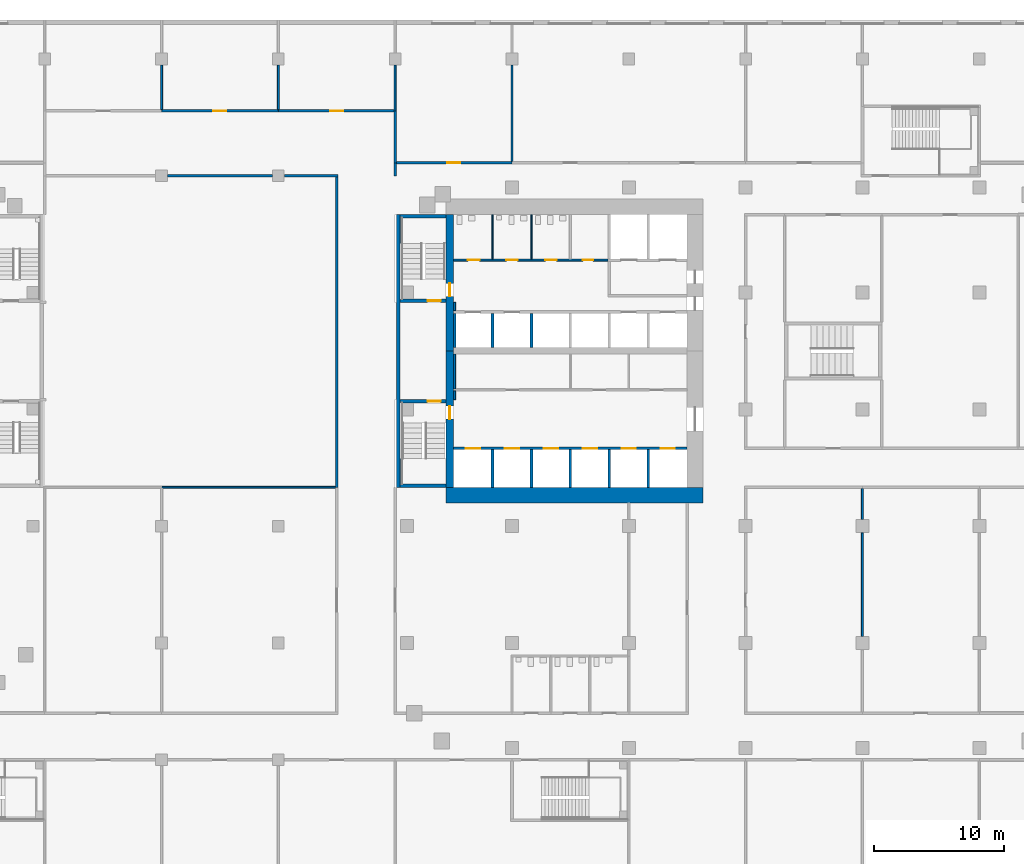
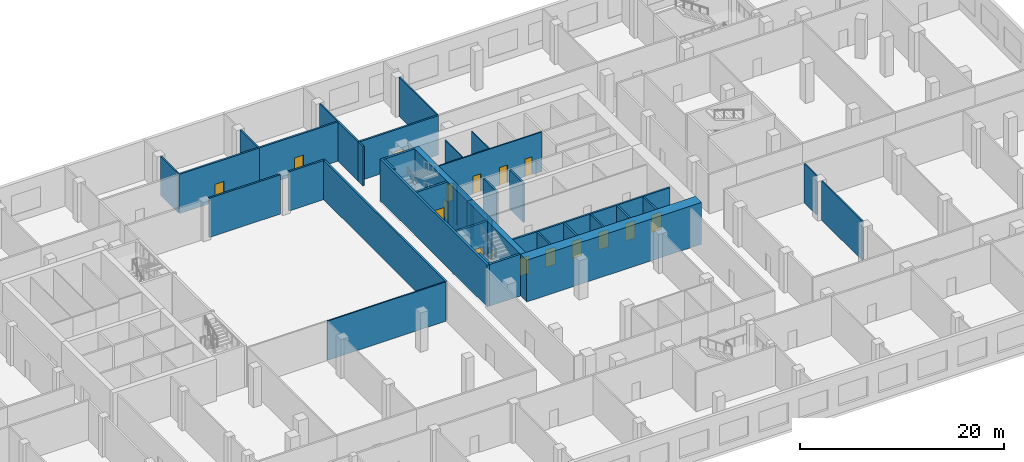
# One storey, part 10 of 21: 40 walls, 17 doors, 17 openings.
"""IFC4 building model written with IfcOpenShell, lengths in metres."""

from ifc_helpers import new_model, si_unit, direction, frame, frame_2d, origin, place, context, subcontext, project, spatial, rectangle, extrude, material, layer, layer_set, type_object, element, fill, save


model = new_model("IFC4")

# Units and contexts
model_context = context("Model", 3, precision=1e-05, world=origin(), true_north=direction((0.0, 1.0)))
body_context = subcontext(model_context, "Body", "Model", "MODEL_VIEW")
ifc_project = project(units=[si_unit("LENGTHUNIT", "METRE"), si_unit("AREAUNIT", "SQUARE_METRE"), si_unit("VOLUMEUNIT", "CUBIC_METRE"), si_unit("PLANEANGLEUNIT", "RADIAN"), si_unit("MASSUNIT", "GRAM", prefix="KILO")], contexts=[model_context])

# Site, building, storey
site_placement = place(None, origin())
site = spatial("IfcSite", under=ifc_project, at=site_placement, CompositionType="ELEMENT")
building_placement = place(site_placement, origin())
building = spatial("IfcBuilding", under=site, at=building_placement, Name="Cinnabar Reach Civic Tower", CompositionType="ELEMENT")
storey_placement = place(building_placement, frame((0.0, 0.0, 11.0)))
storey = spatial("IfcBuildingStorey", under=building, at=storey_placement, Name="L02", CompositionType="ELEMENT", Elevation=11.0)

# Wall
ifc_material_1 = material(Name="Concrete C70", Category="concrete")
ifc_layer_1 = layer(ifc_material_1, 1.2)
ifc_layer_set_1 = layer_set([ifc_layer_1], Name="Core wall 1200 EI 180")
wall_type_1 = type_object("IfcWallType", Name="Core wall 1200 EI 180", PredefinedType="SOLIDWALL", material=ifc_layer_set_1)
wall_1_placement = place(storey_placement, frame((3.9, 20.4, 0.0), z_axis=(0.0, 0.0, 1.0), x_axis=(1.0, 0.0, 0.0)))
element("IfcWall", 1, at=wall_1_placement, inside=storey, type_object=wall_type_1, Name="Core wall T1 L02 S", PredefinedType="SOLIDWALL", context=body_context, shape_type="SweptSolid", body=[
    extrude(rectangle(XDim=19.8, YDim=1.2, at=frame_2d((9.9, 0.0))), origin(), (0.0, 0.0, 1.0), 5.0),
])

# Wall, opening, door
ifc_layer_2 = layer(ifc_material_1, 0.6)
ifc_layer_set_2 = layer_set([ifc_layer_2], Name="Core wall 600 EI 180")
wall_type_2 = type_object("IfcWallType", Name="Core wall 600 EI 180", PredefinedType="SOLIDWALL", material=ifc_layer_set_2)
wall_2_placement = place(storey_placement, frame((4.2, 42.0, 0.0), z_axis=(0.0, 0.0, 1.0), x_axis=(0.0, -1.0, 0.0)))
wall_2 = element("IfcWall", 2, at=wall_2_placement, inside=storey, type_object=wall_type_2, Name="Core wall T1 L02 W", PredefinedType="SOLIDWALL", context=body_context, shape_type="SweptSolid", body=[
    extrude(rectangle(XDim=10.5, YDim=0.6, at=frame_2d((5.25, 0.0))), origin(), (0.0, 0.0, 1.0), 5.0),
])
opening_1_placement = place(wall_2_placement, frame((5.3, 0.0, 0.0)))
opening_1 = element("IfcOpeningElement", 3, at=opening_1_placement, cuts=wall_2, Name="Opening D3114", PredefinedType="OPENING", context=body_context, shape_type="SweptSolid", body=[
    extrude(rectangle(XDim=1.0, YDim=2.1, at=frame_2d((0.5, 1.05))), frame((0.0, 0.31, 0.0), z_axis=(0.0, -1.0, 0.0), x_axis=(1.0, 0.0, 0.0)), (0.0, 0.0, 1.0), 0.62),
])
ifc_material_2 = material(Name="Timber door leaf in steel frame", Category="steel")
door_type_1 = type_object("IfcDoorType", Name="Stair door 1000 x 2100 T1", OperationType="SINGLE_SWING_LEFT", PredefinedType="DOOR", material=ifc_material_2)
door_1_placement = place(opening_1_placement, frame((1.0, 0.0, 0.0), z_axis=(0.0, 0.0, 1.0), x_axis=(-1.0, 0.0, 0.0)))
door_1 = element("IfcDoor", 4, at=door_1_placement, inside=storey, type_object=door_type_1, Name="Door D3114", OperationType="SINGLE_SWING_LEFT", OverallHeight=2.1, OverallWidth=1.0, PredefinedType="DOOR", context=body_context, shape_type="SweptSolid", body=[
    extrude(rectangle(XDim=1.0, YDim=2.1, at=frame_2d((0.5, 1.05))), frame((0.0, 0.025, 0.0), z_axis=(0.0, -1.0, 0.0), x_axis=(1.0, 0.0, 0.0)), (0.0, 0.0, 1.0), 0.05),
])
fill(opening_1, door_1)

wall_3_placement = place(storey_placement, frame((4.2, 31.5, 0.0), z_axis=(0.0, 0.0, 1.0), x_axis=(0.0, -1.0, 0.0)))
wall_3 = element("IfcWall", 5, at=wall_3_placement, inside=storey, type_object=wall_type_2, Name="Core wall T1 L02 W2", PredefinedType="SOLIDWALL", context=body_context, shape_type="SweptSolid", body=[
    extrude(rectangle(XDim=10.5, YDim=0.6, at=frame_2d((5.25, 0.0))), origin(), (0.0, 0.0, 1.0), 5.0),
])
opening_2_placement = place(wall_3_placement, frame((4.25, 0.0, 0.0)))
opening_2 = element("IfcOpeningElement", 6, at=opening_2_placement, cuts=wall_3, Name="Opening D3112", PredefinedType="OPENING", context=body_context, shape_type="SweptSolid", body=[
    extrude(rectangle(XDim=1.0, YDim=2.1, at=frame_2d((0.5, 1.05))), frame((0.0, 0.31, 0.0), z_axis=(0.0, -1.0, 0.0), x_axis=(1.0, 0.0, 0.0)), (0.0, 0.0, 1.0), 0.62),
])
door_2_placement = place(opening_2_placement, frame((1.0, 0.0, 0.0), z_axis=(0.0, 0.0, 1.0), x_axis=(-1.0, 0.0, 0.0)))
door_2 = element("IfcDoor", 7, at=door_2_placement, inside=storey, type_object=door_type_1, Name="Door D3112", OperationType="SINGLE_SWING_RIGHT", OverallHeight=2.1, OverallWidth=1.0, PredefinedType="DOOR", context=body_context, shape_type="SweptSolid", body=[
    extrude(rectangle(XDim=1.0, YDim=2.1, at=frame_2d((0.5, 1.05))), frame((0.0, 0.025, 0.0), z_axis=(0.0, -1.0, 0.0), x_axis=(1.0, 0.0, 0.0)), (0.0, 0.0, 1.0), 0.05),
])
fill(opening_2, door_2)

# Wall, openings, doors
ifc_material_3 = material(Name="Gypsum board on steel studs, double layer", Category="steel")
ifc_layer_3 = layer(ifc_material_3, 0.15)
ifc_layer_set_3 = layer_set([ifc_layer_3], Name="Corridor wall 150 T1")
wall_type_3 = type_object("IfcWallType", Name="Corridor wall 150 T1", PredefinedType="PARTITIONING", material=ifc_layer_set_3)
wall_4_placement = place(storey_placement, frame((4.5, 38.5, 0.0), z_axis=(0.0, 0.0, 1.0), x_axis=(1.0, 0.0, 0.0)))
wall_4 = element("IfcWall", 8, at=wall_4_placement, inside=storey, type_object=wall_type_3, Name="Corridor wall 20", PredefinedType="PARTITIONING", context=body_context, shape_type="SweptSolid", body=[
    extrude(rectangle(XDim=11.9, YDim=0.15, at=frame_2d((5.95, 0.0))), origin(), (0.0, 0.0, 1.0), 4.7),
])
opening_3_placement = place(wall_4_placement, frame((1.1, 0.0, 0.0)))
opening_3 = element("IfcOpeningElement", 9, at=opening_3_placement, cuts=wall_4, Name="Opening D3134", PredefinedType="OPENING", context=body_context, shape_type="SweptSolid", body=[
    extrude(rectangle(XDim=0.9, YDim=2.1, at=frame_2d((0.45, 1.05))), frame((0.0, 0.085, 0.0), z_axis=(0.0, -1.0, 0.0), x_axis=(1.0, 0.0, 0.0)), (0.0, 0.0, 1.0), 0.17),
])
opening_4_placement = place(wall_4_placement, frame((4.05, 0.0, 0.0)))
opening_4 = element("IfcOpeningElement", 10, at=opening_4_placement, cuts=wall_4, Name="Opening D3135", PredefinedType="OPENING", context=body_context, shape_type="SweptSolid", body=[
    extrude(rectangle(XDim=0.9, YDim=2.1, at=frame_2d((0.45, 1.05))), frame((0.0, 0.085, 0.0), z_axis=(0.0, -1.0, 0.0), x_axis=(1.0, 0.0, 0.0)), (0.0, 0.0, 1.0), 0.17),
])
opening_5_placement = place(wall_4_placement, frame((7.05, 0.0, 0.0)))
opening_5 = element("IfcOpeningElement", 11, at=opening_5_placement, cuts=wall_4, Name="Opening D3136", PredefinedType="OPENING", context=body_context, shape_type="SweptSolid", body=[
    extrude(rectangle(XDim=0.9, YDim=2.1, at=frame_2d((0.45, 1.05))), frame((0.0, 0.085, 0.0), z_axis=(0.0, -1.0, 0.0), x_axis=(1.0, 0.0, 0.0)), (0.0, 0.0, 1.0), 0.17),
])
opening_6_placement = place(wall_4_placement, frame((9.95, 0.0, 0.0)))
opening_6 = element("IfcOpeningElement", 12, at=opening_6_placement, cuts=wall_4, Name="Opening D3137", PredefinedType="OPENING", context=body_context, shape_type="SweptSolid", body=[
    extrude(rectangle(XDim=0.8, YDim=2.1, at=frame_2d((0.4, 1.05))), frame((0.0, 0.085, 0.0), z_axis=(0.0, -1.0, 0.0), x_axis=(1.0, 0.0, 0.0)), (0.0, 0.0, 1.0), 0.17),
])
door_type_2 = type_object("IfcDoorType", Name="Riser access door 800 x 2100 T1", OperationType="SINGLE_SWING_LEFT", PredefinedType="DOOR", material=ifc_material_2)
door_3_placement = place(opening_6_placement, origin())
door_3 = element("IfcDoor", 13, at=door_3_placement, inside=storey, type_object=door_type_2, Name="Door D3137", OperationType="SINGLE_SWING_LEFT", OverallHeight=2.1, OverallWidth=0.8, PredefinedType="DOOR", context=body_context, shape_type="SweptSolid", body=[
    extrude(rectangle(XDim=0.8, YDim=2.1, at=frame_2d((0.4, 1.05))), frame((0.0, 0.025, 0.0), z_axis=(0.0, -1.0, 0.0), x_axis=(1.0, 0.0, 0.0)), (0.0, 0.0, 1.0), 0.05),
])
fill(opening_6, door_3)
door_type_3 = type_object("IfcDoorType", Name="Single swing door 900 x 2100 corridor T1", OperationType="SINGLE_SWING_LEFT", PredefinedType="DOOR", material=ifc_material_2)
door_4_placement = place(opening_3_placement, origin())
door_4 = element("IfcDoor", 14, at=door_4_placement, inside=storey, type_object=door_type_3, Name="Door D3134", OperationType="SINGLE_SWING_RIGHT", OverallHeight=2.1, OverallWidth=0.9, PredefinedType="DOOR", context=body_context, shape_type="SweptSolid", body=[
    extrude(rectangle(XDim=0.9, YDim=2.1, at=frame_2d((0.45, 1.05))), frame((0.0, 0.025, 0.0), z_axis=(0.0, -1.0, 0.0), x_axis=(1.0, 0.0, 0.0)), (0.0, 0.0, 1.0), 0.05),
])
fill(opening_3, door_4)
door_5_placement = place(opening_4_placement, origin())
door_5 = element("IfcDoor", 15, at=door_5_placement, inside=storey, type_object=door_type_3, Name="Door D3135", OperationType="SINGLE_SWING_RIGHT", OverallHeight=2.1, OverallWidth=0.9, PredefinedType="DOOR", context=body_context, shape_type="SweptSolid", body=[
    extrude(rectangle(XDim=0.9, YDim=2.1, at=frame_2d((0.45, 1.05))), frame((0.0, 0.025, 0.0), z_axis=(0.0, -1.0, 0.0), x_axis=(1.0, 0.0, 0.0)), (0.0, 0.0, 1.0), 0.05),
])
fill(opening_4, door_5)
door_6_placement = place(opening_5_placement, origin())
door_6 = element("IfcDoor", 16, at=door_6_placement, inside=storey, type_object=door_type_3, Name="Door D3136", OperationType="SINGLE_SWING_RIGHT", OverallHeight=2.1, OverallWidth=0.9, PredefinedType="DOOR", context=body_context, shape_type="SweptSolid", body=[
    extrude(rectangle(XDim=0.9, YDim=2.1, at=frame_2d((0.45, 1.05))), frame((0.0, 0.025, 0.0), z_axis=(0.0, -1.0, 0.0), x_axis=(1.0, 0.0, 0.0)), (0.0, 0.0, 1.0), 0.05),
])
fill(opening_5, door_6)

# Walls
wall_5_placement = place(storey_placement, frame((4.575, 27.75, 0.0), z_axis=(0.0, 0.0, 1.0), x_axis=(0.0, 1.0, 0.0)))
element("IfcWall", 17, at=wall_5_placement, inside=storey, type_object=wall_type_3, Name="Corridor wall 21", PredefinedType="PARTITIONING", context=body_context, shape_type="SweptSolid", body=[
    extrude(rectangle(XDim=0.675, YDim=0.15, at=frame_2d((0.3375, 0.0))), origin(), (0.0, 0.0, 1.0), 4.7),
])
wall_6_placement = place(storey_placement, frame((4.575, 28.575, 0.0), z_axis=(0.0, 0.0, 1.0), x_axis=(0.0, 1.0, 0.0)))
element("IfcWall", 18, at=wall_6_placement, inside=storey, type_object=wall_type_3, Name="Corridor wall 22", PredefinedType="PARTITIONING", context=body_context, shape_type="SweptSolid", body=[
    extrude(rectangle(XDim=2.675, YDim=0.15, at=frame_2d((1.3375, 0.0))), origin(), (0.0, 0.0, 1.0), 4.7),
])
wall_7_placement = place(storey_placement, frame((4.575, 34.6, 0.0), z_axis=(0.0, 0.0, 1.0), x_axis=(0.0, 1.0, 0.0)))
element("IfcWall", 19, at=wall_7_placement, inside=storey, type_object=wall_type_3, Name="Corridor wall 23", PredefinedType="PARTITIONING", context=body_context, shape_type="SweptSolid", body=[
    extrude(rectangle(XDim=0.65, YDim=0.15, at=frame_2d((0.325, 0.0))), origin(), (0.0, 0.0, 1.0), 4.7),
])

# Wall, openings, doors
ifc_material_4 = material(Name="Blockwork", Category="masonry")
ifc_layer_4 = layer(ifc_material_4, 0.2)
ifc_layer_set_4 = layer_set([ifc_layer_4], Name="Lift shaft wall 200 T1")
wall_type_4 = type_object("IfcWallType", Name="Lift shaft wall 200 T1", PredefinedType="PARTITIONING", material=ifc_layer_set_4)
wall_8_placement = place(storey_placement, frame((4.5, 24.0, 0.0), z_axis=(0.0, 0.0, 1.0), x_axis=(1.0, 0.0, 0.0)))
wall_8 = element("IfcWall", 20, at=wall_8_placement, inside=storey, type_object=wall_type_4, Name="Lift shaft wall 4", PredefinedType="PARTITIONING", context=body_context, shape_type="SweptSolid", body=[
    extrude(rectangle(XDim=18.0, YDim=0.2, at=frame_2d((9.0, 0.0))), origin(), (0.0, 0.0, 1.0), 4.7),
])
opening_7_placement = place(wall_8_placement, frame((0.95, 0.0, 0.0)))
opening_7 = element("IfcOpeningElement", 21, at=opening_7_placement, cuts=wall_8, Name="Opening D3116", PredefinedType="OPENING", context=body_context, shape_type="SweptSolid", body=[
    extrude(rectangle(XDim=1.1, YDim=2.1, at=frame_2d((0.55, 1.05))), frame((0.0, 0.11, 0.0), z_axis=(0.0, -1.0, 0.0), x_axis=(1.0, 0.0, 0.0)), (0.0, 0.0, 1.0), 0.22),
])
opening_8_placement = place(wall_8_placement, frame((3.95, 0.0, 0.0)))
opening_8 = element("IfcOpeningElement", 22, at=opening_8_placement, cuts=wall_8, Name="Opening D3117", PredefinedType="OPENING", context=body_context, shape_type="SweptSolid", body=[
    extrude(rectangle(XDim=1.1, YDim=2.1, at=frame_2d((0.55, 1.05))), frame((0.0, 0.11, 0.0), z_axis=(0.0, -1.0, 0.0), x_axis=(1.0, 0.0, 0.0)), (0.0, 0.0, 1.0), 0.22),
])
opening_9_placement = place(wall_8_placement, frame((6.95, 0.0, 0.0)))
opening_9 = element("IfcOpeningElement", 23, at=opening_9_placement, cuts=wall_8, Name="Opening D3118", PredefinedType="OPENING", context=body_context, shape_type="SweptSolid", body=[
    extrude(rectangle(XDim=1.1, YDim=2.1, at=frame_2d((0.55, 1.05))), frame((0.0, 0.11, 0.0), z_axis=(0.0, -1.0, 0.0), x_axis=(1.0, 0.0, 0.0)), (0.0, 0.0, 1.0), 0.22),
])
opening_10_placement = place(wall_8_placement, frame((9.95, 0.0, 0.0)))
opening_10 = element("IfcOpeningElement", 24, at=opening_10_placement, cuts=wall_8, Name="Opening D3119", PredefinedType="OPENING", context=body_context, shape_type="SweptSolid", body=[
    extrude(rectangle(XDim=1.1, YDim=2.1, at=frame_2d((0.55, 1.05))), frame((0.0, 0.11, 0.0), z_axis=(0.0, -1.0, 0.0), x_axis=(1.0, 0.0, 0.0)), (0.0, 0.0, 1.0), 0.22),
])
opening_11_placement = place(wall_8_placement, frame((12.95, 0.0, 0.0)))
opening_11 = element("IfcOpeningElement", 25, at=opening_11_placement, cuts=wall_8, Name="Opening D3120", PredefinedType="OPENING", context=body_context, shape_type="SweptSolid", body=[
    extrude(rectangle(XDim=1.1, YDim=2.1, at=frame_2d((0.55, 1.05))), frame((0.0, 0.11, 0.0), z_axis=(0.0, -1.0, 0.0), x_axis=(1.0, 0.0, 0.0)), (0.0, 0.0, 1.0), 0.22),
])
opening_12_placement = place(wall_8_placement, frame((15.95, 0.0, 0.0)))
opening_12 = element("IfcOpeningElement", 26, at=opening_12_placement, cuts=wall_8, Name="Opening D3121", PredefinedType="OPENING", context=body_context, shape_type="SweptSolid", body=[
    extrude(rectangle(XDim=1.1, YDim=2.1, at=frame_2d((0.55, 1.05))), frame((0.0, 0.11, 0.0), z_axis=(0.0, -1.0, 0.0), x_axis=(1.0, 0.0, 0.0)), (0.0, 0.0, 1.0), 0.22),
])
ifc_material_5 = material(Name="Stainless steel sliding door", Category="steel")
door_type_4 = type_object("IfcDoorType", Name="Lift landing door 1100 x 2100 T1", OperationType="SLIDING_TO_LEFT", PredefinedType="DOOR", material=ifc_material_5)
door_7_placement = place(opening_7_placement, origin())
door_7 = element("IfcDoor", 27, at=door_7_placement, inside=storey, type_object=door_type_4, Name="Lift landing door LR1 L02", OperationType="SLIDING_TO_LEFT", OverallHeight=2.1, OverallWidth=1.1, PredefinedType="DOOR", context=body_context, shape_type="SweptSolid", body=[
    extrude(rectangle(XDim=1.1, YDim=2.1, at=frame_2d((0.55, 1.05))), frame((0.0, 0.025, 0.0), z_axis=(0.0, -1.0, 0.0), x_axis=(1.0, 0.0, 0.0)), (0.0, 0.0, 1.0), 0.05),
])
fill(opening_7, door_7)
door_8_placement = place(opening_8_placement, origin())
door_8 = element("IfcDoor", 28, at=door_8_placement, inside=storey, type_object=door_type_4, Name="Lift landing door LR2 L02", OperationType="SLIDING_TO_LEFT", OverallHeight=2.1, OverallWidth=1.1, PredefinedType="DOOR", context=body_context, shape_type="SweptSolid", body=[
    extrude(rectangle(XDim=1.1, YDim=2.1, at=frame_2d((0.55, 1.05))), frame((0.0, 0.025, 0.0), z_axis=(0.0, -1.0, 0.0), x_axis=(1.0, 0.0, 0.0)), (0.0, 0.0, 1.0), 0.05),
])
fill(opening_8, door_8)
door_9_placement = place(opening_9_placement, origin())
door_9 = element("IfcDoor", 29, at=door_9_placement, inside=storey, type_object=door_type_4, Name="Lift landing door LR3 L02", OperationType="SLIDING_TO_LEFT", OverallHeight=2.1, OverallWidth=1.1, PredefinedType="DOOR", context=body_context, shape_type="SweptSolid", body=[
    extrude(rectangle(XDim=1.1, YDim=2.1, at=frame_2d((0.55, 1.05))), frame((0.0, 0.025, 0.0), z_axis=(0.0, -1.0, 0.0), x_axis=(1.0, 0.0, 0.0)), (0.0, 0.0, 1.0), 0.05),
])
fill(opening_9, door_9)
door_10_placement = place(opening_10_placement, origin())
door_10 = element("IfcDoor", 30, at=door_10_placement, inside=storey, type_object=door_type_4, Name="Lift landing door LR4 L02", OperationType="SLIDING_TO_LEFT", OverallHeight=2.1, OverallWidth=1.1, PredefinedType="DOOR", context=body_context, shape_type="SweptSolid", body=[
    extrude(rectangle(XDim=1.1, YDim=2.1, at=frame_2d((0.55, 1.05))), frame((0.0, 0.025, 0.0), z_axis=(0.0, -1.0, 0.0), x_axis=(1.0, 0.0, 0.0)), (0.0, 0.0, 1.0), 0.05),
])
fill(opening_10, door_10)
door_11_placement = place(opening_11_placement, origin())
door_11 = element("IfcDoor", 31, at=door_11_placement, inside=storey, type_object=door_type_4, Name="Lift landing door LR5 L02", OperationType="SLIDING_TO_LEFT", OverallHeight=2.1, OverallWidth=1.1, PredefinedType="DOOR", context=body_context, shape_type="SweptSolid", body=[
    extrude(rectangle(XDim=1.1, YDim=2.1, at=frame_2d((0.55, 1.05))), frame((0.0, 0.025, 0.0), z_axis=(0.0, -1.0, 0.0), x_axis=(1.0, 0.0, 0.0)), (0.0, 0.0, 1.0), 0.05),
])
fill(opening_11, door_11)
door_12_placement = place(opening_12_placement, origin())
door_12 = element("IfcDoor", 32, at=door_12_placement, inside=storey, type_object=door_type_4, Name="Lift landing door LR6 L02", OperationType="SLIDING_TO_LEFT", OverallHeight=2.1, OverallWidth=1.1, PredefinedType="DOOR", context=body_context, shape_type="SweptSolid", body=[
    extrude(rectangle(XDim=1.1, YDim=2.1, at=frame_2d((0.55, 1.05))), frame((0.0, 0.025, 0.0), z_axis=(0.0, -1.0, 0.0), x_axis=(1.0, 0.0, 0.0)), (0.0, 0.0, 1.0), 0.05),
])
fill(opening_12, door_12)

# Walls
wall_9_placement = place(storey_placement, frame((4.6, 31.75, 0.0), z_axis=(0.0, 0.0, 1.0), x_axis=(0.0, 1.0, 0.0)))
element("IfcWall", 33, at=wall_9_placement, inside=storey, type_object=wall_type_4, Name="Lift shaft wall 8", PredefinedType="PARTITIONING", context=body_context, shape_type="SweptSolid", body=[
    extrude(rectangle(XDim=2.65, YDim=0.2, at=frame_2d((1.325, 0.0))), origin(), (0.0, 0.0, 1.0), 4.7),
])
wall_10_placement = place(storey_placement, frame((7.5, 21.0, 0.0), z_axis=(0.0, 0.0, 1.0), x_axis=(0.0, 1.0, 0.0)))
element("IfcWall", 34, at=wall_10_placement, inside=storey, type_object=wall_type_4, Name="Lift shaft wall 9", PredefinedType="PARTITIONING", context=body_context, shape_type="SweptSolid", body=[
    extrude(rectangle(XDim=2.9, YDim=0.2, at=frame_2d((1.45, 0.0))), origin(), (0.0, 0.0, 1.0), 4.7),
])
wall_11_placement = place(storey_placement, frame((7.5, 31.75, 0.0), z_axis=(0.0, 0.0, 1.0), x_axis=(0.0, 1.0, 0.0)))
element("IfcWall", 35, at=wall_11_placement, inside=storey, type_object=wall_type_4, Name="Lift shaft wall 10", PredefinedType="PARTITIONING", context=body_context, shape_type="SweptSolid", body=[
    extrude(rectangle(XDim=2.65, YDim=0.2, at=frame_2d((1.325, 0.0))), origin(), (0.0, 0.0, 1.0), 4.7),
])
wall_12_placement = place(storey_placement, frame((10.5, 21.0, 0.0), z_axis=(0.0, 0.0, 1.0), x_axis=(0.0, 1.0, 0.0)))
element("IfcWall", 36, at=wall_12_placement, inside=storey, type_object=wall_type_4, Name="Lift shaft wall 11", PredefinedType="PARTITIONING", context=body_context, shape_type="SweptSolid", body=[
    extrude(rectangle(XDim=2.9, YDim=0.2, at=frame_2d((1.45, 0.0))), origin(), (0.0, 0.0, 1.0), 4.7),
])
wall_13_placement = place(storey_placement, frame((10.5, 31.75, 0.0), z_axis=(0.0, 0.0, 1.0), x_axis=(0.0, 1.0, 0.0)))
element("IfcWall", 37, at=wall_13_placement, inside=storey, type_object=wall_type_4, Name="Lift shaft wall 12", PredefinedType="PARTITIONING", context=body_context, shape_type="SweptSolid", body=[
    extrude(rectangle(XDim=2.65, YDim=0.2, at=frame_2d((1.325, 0.0))), origin(), (0.0, 0.0, 1.0), 4.7),
])
for number, where, z_axis, x_axis, name in (
    (38, (13.5, 21.0, 0.0), (0.0, 0.0, 1.0), (0.0, 1.0, 0.0), "Lift shaft wall 13"),
    (39, (16.5, 21.0, 0.0), (0.0, 0.0, 1.0), (0.0, 1.0, 0.0), "Lift shaft wall 15"),
    (40, (19.5, 21.0, 0.0), (0.0, 0.0, 1.0), (0.0, 1.0, 0.0), "Lift shaft wall 17"),
):
    element("IfcWall", number, at=place(storey_placement, frame(where, z_axis=z_axis, x_axis=x_axis)), inside=storey, type_object=wall_type_4, Name=name, PredefinedType="PARTITIONING", context=body_context, shape_type="SweptSolid", body=[
        extrude(rectangle(XDim=2.9, YDim=0.2, at=frame_2d((1.45, 0.0))), origin(), (0.0, 0.0, 1.0), 4.7),
    ])
ifc_material_6 = material(Name="Gypsum board on steel studs", Category="steel")
ifc_layer_5 = layer(ifc_material_6, 0.1)
ifc_layer_set_5 = layer_set([ifc_layer_5], Name="Partition wall 100 T1")
wall_type_5 = type_object("IfcWallType", Name="Partition wall 100 T1", PredefinedType="PARTITIONING", material=ifc_layer_set_5)
for number, where, z_axis, x_axis, name in (
    (41, (7.5, 38.575, 0.0), (0.0, 0.0, 1.0), (0.0, 1.0, 0.0), "Partition wall 25"),
    (42, (10.5, 38.575, 0.0), (0.0, 0.0, 1.0), (0.0, 1.0, 0.0), "Partition wall 26"),
):
    element("IfcWall", number, at=place(storey_placement, frame(where, z_axis=z_axis, x_axis=x_axis)), inside=storey, type_object=wall_type_5, Name=name, PredefinedType="PARTITIONING", context=body_context, shape_type="SweptSolid", body=[
        extrude(rectangle(XDim=3.425, YDim=0.1, at=frame_2d((1.7125, 0.0))), origin(), (0.0, 0.0, 1.0), 4.7),
    ])
ifc_material_7 = material(Name="Concrete blockwork", Category="masonry")
ifc_layer_6 = layer(ifc_material_7, 0.2)
ifc_layer_set_6 = layer_set([ifc_layer_6], Name="Podium masonry corridor wall 200 EI 120")
wall_type_6 = type_object("IfcWallType", Name="Podium masonry corridor wall 200 EI 120", PredefinedType="PARTITIONING", material=ifc_layer_set_6)
wall_14_placement = place(storey_placement, frame((0.0, 45.0, 0.0), z_axis=(0.0, 0.0, 1.0), x_axis=(0.0, 1.0, 0.0)))
element("IfcWall", 43, at=wall_14_placement, inside=storey, type_object=wall_type_6, Name="Wall L02 94", PredefinedType="PARTITIONING", context=body_context, shape_type="SweptSolid", body=[
    extrude(rectangle(XDim=1.0, YDim=0.2, at=frame_2d((0.5, 0.0))), origin(), (0.0, 0.0, 1.0), 4.7),
])

# Wall, opening, door
wall_15_placement = place(storey_placement, frame((0.1, 46.0, 0.0), z_axis=(0.0, 0.0, 1.0), x_axis=(1.0, 0.0, 0.0)))
wall_15 = element("IfcWall", 44, at=wall_15_placement, inside=storey, type_object=wall_type_6, Name="Wall L02 100", PredefinedType="PARTITIONING", context=body_context, shape_type="SweptSolid", body=[
    extrude(rectangle(XDim=8.9, YDim=0.2, at=frame_2d((4.45, 0.0))), origin(), (0.0, 0.0, 1.0), 4.7),
])
opening_13_placement = place(wall_15_placement, frame((3.9, 0.0, 0.0)))
opening_13 = element("IfcOpeningElement", 45, at=opening_13_placement, cuts=wall_15, Name="Opening D1148", PredefinedType="OPENING", context=body_context, shape_type="SweptSolid", body=[
    extrude(rectangle(XDim=1.0, YDim=2.1, at=frame_2d((0.5, 1.05))), frame((0.0, 0.11, 0.0), z_axis=(0.0, -1.0, 0.0), x_axis=(1.0, 0.0, 0.0)), (0.0, 0.0, 1.0), 0.22),
])
ifc_material_8 = material(Name="Painted steel door leaf", Category="steel")
door_type_5 = type_object("IfcDoorType", Name="Podium single door 1000x2100", OperationType="SINGLE_SWING_LEFT", PredefinedType="DOOR", material=ifc_material_8)
door_13_placement = place(opening_13_placement, frame((1.0, 0.0, 0.0), z_axis=(0.0, 0.0, 1.0), x_axis=(-1.0, 0.0, 0.0)))
door_13 = element("IfcDoor", 46, at=door_13_placement, inside=storey, type_object=door_type_5, Name="Door D1148", OperationType="SINGLE_SWING_LEFT", OverallHeight=2.1, OverallWidth=1.0, PredefinedType="DOOR", context=body_context, shape_type="SweptSolid", body=[
    extrude(rectangle(XDim=1.0, YDim=2.1, at=frame_2d((0.5, 1.05))), frame((0.0, 0.025, 0.0), z_axis=(0.0, -1.0, 0.0), x_axis=(1.0, 0.0, 0.0)), (0.0, 0.0, 1.0), 0.05),
])
fill(opening_13, door_13)

# Walls
wall_16_placement = place(storey_placement, frame((-4.5, 21.0, 0.0), z_axis=(0.0, 0.0, 1.0), x_axis=(0.0, 1.0, 0.0)))
element("IfcWall", 47, at=wall_16_placement, inside=storey, type_object=wall_type_6, Name="Wall L02 126", PredefinedType="PARTITIONING", context=body_context, shape_type="SweptSolid", body=[
    extrude(rectangle(XDim=23.9, YDim=0.2, at=frame_2d((11.95, 0.0))), origin(), (0.0, 0.0, 1.0), 4.7),
])
wall_17_placement = place(storey_placement, frame((-17.53, 45.0, 0.0), z_axis=(0.0, 0.0, 1.0), x_axis=(1.0, 0.0, 0.0)))
element("IfcWall", 48, at=wall_17_placement, inside=storey, type_object=wall_type_6, Name="Wall L02 132", PredefinedType="PARTITIONING", context=body_context, shape_type="SweptSolid", body=[
    extrude(rectangle(XDim=8.06, YDim=0.2, at=frame_2d((4.03, 0.0))), origin(), (0.0, 0.0, 1.0), 4.7),
])
wall_18_placement = place(storey_placement, frame((-8.53, 45.0, 0.0), z_axis=(0.0, 0.0, 1.0), x_axis=(1.0, 0.0, 0.0)))
element("IfcWall", 49, at=wall_18_placement, inside=storey, type_object=wall_type_6, Name="Wall L02 133", PredefinedType="PARTITIONING", context=body_context, shape_type="SweptSolid", body=[
    extrude(rectangle(XDim=4.13, YDim=0.2, at=frame_2d((2.065, 0.0))), origin(), (0.0, 0.0, 1.0), 4.7),
])

# Wall, opening, door
wall_19_placement = place(storey_placement, frame((-18.0, 50.0, 0.0), z_axis=(0.0, 0.0, 1.0), x_axis=(1.0, 0.0, 0.0)))
wall_19 = element("IfcWall", 50, at=wall_19_placement, inside=storey, type_object=wall_type_6, Name="Wall L02 139", PredefinedType="PARTITIONING", context=body_context, shape_type="SweptSolid", body=[
    extrude(rectangle(XDim=9.0, YDim=0.2, at=frame_2d((4.5, 0.0))), origin(), (0.0, 0.0, 1.0), 4.7),
])
opening_14_placement = place(wall_19_placement, frame((4.0, 0.0, 0.0)))
opening_14 = element("IfcOpeningElement", 51, at=opening_14_placement, cuts=wall_19, Name="Opening D1105", PredefinedType="OPENING", context=body_context, shape_type="SweptSolid", body=[
    extrude(rectangle(XDim=1.0, YDim=2.1, at=frame_2d((0.5, 1.05))), frame((0.0, 0.11, 0.0), z_axis=(0.0, -1.0, 0.0), x_axis=(1.0, 0.0, 0.0)), (0.0, 0.0, 1.0), 0.22),
])
door_14_placement = place(opening_14_placement, origin())
door_14 = element("IfcDoor", 52, at=door_14_placement, inside=storey, type_object=door_type_5, Name="Door D1105", OperationType="SINGLE_SWING_RIGHT", OverallHeight=2.1, OverallWidth=1.0, PredefinedType="DOOR", context=body_context, shape_type="SweptSolid", body=[
    extrude(rectangle(XDim=1.0, YDim=2.1, at=frame_2d((0.5, 1.05))), frame((0.0, 0.025, 0.0), z_axis=(0.0, -1.0, 0.0), x_axis=(1.0, 0.0, 0.0)), (0.0, 0.0, 1.0), 0.05),
])
fill(opening_14, door_14)

wall_20_placement = place(storey_placement, frame((-9.0, 50.0, 0.0), z_axis=(0.0, 0.0, 1.0), x_axis=(1.0, 0.0, 0.0)))
wall_20 = element("IfcWall", 53, at=wall_20_placement, inside=storey, type_object=wall_type_6, Name="Wall L02 140", PredefinedType="PARTITIONING", context=body_context, shape_type="SweptSolid", body=[
    extrude(rectangle(XDim=8.9, YDim=0.2, at=frame_2d((4.45, 0.0))), origin(), (0.0, 0.0, 1.0), 4.7),
])
opening_15_placement = place(wall_20_placement, frame((4.0, 0.0, 0.0)))
opening_15 = element("IfcOpeningElement", 54, at=opening_15_placement, cuts=wall_20, Name="Opening D1106", PredefinedType="OPENING", context=body_context, shape_type="SweptSolid", body=[
    extrude(rectangle(XDim=1.0, YDim=2.1, at=frame_2d((0.5, 1.05))), frame((0.0, 0.11, 0.0), z_axis=(0.0, -1.0, 0.0), x_axis=(1.0, 0.0, 0.0)), (0.0, 0.0, 1.0), 0.22),
])
door_15_placement = place(opening_15_placement, origin())
door_15 = element("IfcDoor", 55, at=door_15_placement, inside=storey, type_object=door_type_5, Name="Door D1106", OperationType="SINGLE_SWING_LEFT", OverallHeight=2.1, OverallWidth=1.0, PredefinedType="DOOR", context=body_context, shape_type="SweptSolid", body=[
    extrude(rectangle(XDim=1.0, YDim=2.1, at=frame_2d((0.5, 1.05))), frame((0.0, 0.025, 0.0), z_axis=(0.0, -1.0, 0.0), x_axis=(1.0, 0.0, 0.0)), (0.0, 0.0, 1.0), 0.05),
])
fill(opening_15, door_15)

# Walls
wall_21_placement = place(storey_placement, frame((0.0, 46.0, 0.0), z_axis=(0.0, 0.0, 1.0), x_axis=(0.0, 1.0, 0.0)))
element("IfcWall", 56, at=wall_21_placement, inside=storey, type_object=wall_type_6, Name="Wall L02 142", PredefinedType="PARTITIONING", context=body_context, shape_type="SweptSolid", body=[
    extrude(rectangle(XDim=4.0, YDim=0.2, at=frame_2d((2.0, 0.0))), origin(), (0.0, 0.0, 1.0), 4.7),
])
ifc_layer_7 = layer(ifc_material_6, 0.15)
ifc_layer_set_7 = layer_set([ifc_layer_7], Name="Podium partition wall 150 EI 90")
wall_type_7 = type_object("IfcWallType", Name="Podium partition wall 150 EI 90", PredefinedType="PARTITIONING", material=ifc_layer_set_7)
wall_22_placement = place(storey_placement, frame((-18.0, 21.0, 0.0), z_axis=(0.0, 0.0, 1.0), x_axis=(1.0, 0.0, 0.0)))
element("IfcWall", 57, at=wall_22_placement, inside=storey, type_object=wall_type_7, Name="Wall L02 130", PredefinedType="PARTITIONING", context=body_context, shape_type="SweptSolid", body=[
    extrude(rectangle(XDim=13.4, YDim=0.15, at=frame_2d((6.7, 0.0))), origin(), (0.0, 0.0, 1.0), 4.7),
])
for number, where, z_axis, x_axis, name in (
    (58, (-18.0, 50.1, 0.0), (0.0, 0.0, 1.0), (0.0, 1.0, 0.0), "Wall L02 143"),
    (59, (-9.0, 50.1, 0.0), (0.0, 0.0, 1.0), (0.0, 1.0, 0.0), "Wall L02 147"),
):
    element("IfcWall", number, at=place(storey_placement, frame(where, z_axis=z_axis, x_axis=x_axis)), inside=storey, type_object=wall_type_7, Name=name, PredefinedType="PARTITIONING", context=body_context, shape_type="SweptSolid", body=[
        extrude(rectangle(XDim=3.43, YDim=0.15, at=frame_2d((1.715, 0.0))), origin(), (0.0, 0.0, 1.0), 4.7),
    ])
wall_23_placement = place(storey_placement, frame((0.0, 50.0, 0.0), z_axis=(0.0, 0.0, 1.0), x_axis=(0.0, 1.0, 0.0)))
element("IfcWall", 60, at=wall_23_placement, inside=storey, type_object=wall_type_7, Name="Wall L02 149", PredefinedType="PARTITIONING", context=body_context, shape_type="SweptSolid", body=[
    extrude(rectangle(XDim=3.53, YDim=0.15, at=frame_2d((1.765, 0.0))), origin(), (0.0, 0.0, 1.0), 4.7),
])
wall_24_placement = place(storey_placement, frame((36.0, 9.52, 0.0), z_axis=(0.0, 0.0, 1.0), x_axis=(0.0, 1.0, 0.0)))
element("IfcWall", 61, at=wall_24_placement, inside=storey, type_object=wall_type_7, Name="Wall L02 195", PredefinedType="PARTITIONING", context=body_context, shape_type="SweptSolid", body=[
    extrude(rectangle(XDim=7.96, YDim=0.15, at=frame_2d((3.98, 0.0))), origin(), (0.0, 0.0, 1.0), 4.7),
])
wall_25_placement = place(storey_placement, frame((36.0, 18.52, 0.0), z_axis=(0.0, 0.0, 1.0), x_axis=(0.0, 1.0, 0.0)))
element("IfcWall", 62, at=wall_25_placement, inside=storey, type_object=wall_type_7, Name="Wall L02 196", PredefinedType="PARTITIONING", context=body_context, shape_type="SweptSolid", body=[
    extrude(rectangle(XDim=2.38, YDim=0.15, at=frame_2d((1.19, 0.0))), origin(), (0.0, 0.0, 1.0), 4.7),
])
wall_26_placement = place(storey_placement, frame((9.0, 46.1, 0.0), z_axis=(0.0, 0.0, 1.0), x_axis=(0.0, 1.0, 0.0)))
element("IfcWall", 63, at=wall_26_placement, inside=storey, type_object=wall_type_7, Name="Wall L02 221", PredefinedType="PARTITIONING", context=body_context, shape_type="SweptSolid", body=[
    extrude(rectangle(XDim=7.43, YDim=0.15, at=frame_2d((3.715, 0.0))), origin(), (0.0, 0.0, 1.0), 4.7),
])
ifc_material_9 = material(Name="Concrete C60", Category="concrete")
ifc_layer_8 = layer(ifc_material_9, 0.25)
ifc_layer_set_8 = layer_set([ifc_layer_8], Name="Stair shaft wall 250 EI 120")
wall_type_8 = type_object("IfcWallType", Name="Stair shaft wall 250 EI 120", PredefinedType="SOLIDWALL", material=ifc_layer_set_8)
wall_27_placement = place(storey_placement, frame((0.36, 21.125, 0.0), z_axis=(0.0, 0.0, 1.0), x_axis=(1.0, 0.0, 0.0)))
element("IfcWall", 64, at=wall_27_placement, inside=storey, type_object=wall_type_8, Name="Stair shaft wall T1-S1 L02", PredefinedType="SOLIDWALL", context=body_context, shape_type="SweptSolid", body=[
    extrude(rectangle(XDim=3.54, YDim=0.25, at=frame_2d((1.77, 0.0))), origin(), (0.0, 0.0, 1.0), 5.0),
])

# Wall, opening, door
wall_28_placement = place(storey_placement, frame((3.9, 27.625, 0.0), z_axis=(0.0, 0.0, 1.0), x_axis=(-1.0, 0.0, 0.0)))
wall_28 = element("IfcWall", 65, at=wall_28_placement, inside=storey, type_object=wall_type_8, Name="Stair shaft wall T1-S1 L02", PredefinedType="SOLIDWALL", context=body_context, shape_type="SweptSolid", body=[
    extrude(rectangle(XDim=3.54, YDim=0.25, at=frame_2d((1.77, 0.0))), origin(), (0.0, 0.0, 1.0), 5.0),
])
opening_16_placement = place(wall_28_placement, frame((0.4, 0.0, 0.0)))
opening_16 = element("IfcOpeningElement", 66, at=opening_16_placement, cuts=wall_28, Name="Opening D3113", PredefinedType="OPENING", context=body_context, shape_type="SweptSolid", body=[
    extrude(rectangle(XDim=1.0, YDim=2.1, at=frame_2d((0.5, 1.05))), frame((0.0, 0.135, 0.0), z_axis=(0.0, -1.0, 0.0), x_axis=(1.0, 0.0, 0.0)), (0.0, 0.0, 1.0), 0.27),
])
door_16_placement = place(opening_16_placement, origin())
door_16 = element("IfcDoor", 67, at=door_16_placement, inside=storey, type_object=door_type_1, Name="Door D3113", OperationType="SINGLE_SWING_LEFT", OverallHeight=2.1, OverallWidth=1.0, PredefinedType="DOOR", context=body_context, shape_type="SweptSolid", body=[
    extrude(rectangle(XDim=1.0, YDim=2.1, at=frame_2d((0.5, 1.05))), frame((0.0, 0.025, 0.0), z_axis=(0.0, -1.0, 0.0), x_axis=(1.0, 0.0, 0.0)), (0.0, 0.0, 1.0), 0.05),
])
fill(opening_16, door_16)

wall_29_placement = place(storey_placement, frame((0.36, 35.375, 0.0), z_axis=(0.0, 0.0, 1.0), x_axis=(1.0, 0.0, 0.0)))
wall_29 = element("IfcWall", 68, at=wall_29_placement, inside=storey, type_object=wall_type_8, Name="Stair shaft wall T1-S2 L02", PredefinedType="SOLIDWALL", context=body_context, shape_type="SweptSolid", body=[
    extrude(rectangle(XDim=3.54, YDim=0.25, at=frame_2d((1.77, 0.0))), origin(), (0.0, 0.0, 1.0), 5.0),
])
opening_17_placement = place(wall_29_placement, frame((2.14, 0.0, 0.0)))
opening_17 = element("IfcOpeningElement", 69, at=opening_17_placement, cuts=wall_29, Name="Opening D3115", PredefinedType="OPENING", context=body_context, shape_type="SweptSolid", body=[
    extrude(rectangle(XDim=1.0, YDim=2.1, at=frame_2d((0.5, 1.05))), frame((0.0, 0.135, 0.0), z_axis=(0.0, -1.0, 0.0), x_axis=(1.0, 0.0, 0.0)), (0.0, 0.0, 1.0), 0.27),
])
door_17_placement = place(opening_17_placement, origin())
door_17 = element("IfcDoor", 70, at=door_17_placement, inside=storey, type_object=door_type_1, Name="Door D3115", OperationType="SINGLE_SWING_RIGHT", OverallHeight=2.1, OverallWidth=1.0, PredefinedType="DOOR", context=body_context, shape_type="SweptSolid", body=[
    extrude(rectangle(XDim=1.0, YDim=2.1, at=frame_2d((0.5, 1.05))), frame((0.0, 0.025, 0.0), z_axis=(0.0, -1.0, 0.0), x_axis=(1.0, 0.0, 0.0)), (0.0, 0.0, 1.0), 0.05),
])
fill(opening_17, door_17)

# Walls
wall_30_placement = place(storey_placement, frame((3.9, 41.875, 0.0), z_axis=(0.0, 0.0, 1.0), x_axis=(-1.0, 0.0, 0.0)))
element("IfcWall", 71, at=wall_30_placement, inside=storey, type_object=wall_type_8, Name="Stair shaft wall T1-S2 L02", PredefinedType="SOLIDWALL", context=body_context, shape_type="SweptSolid", body=[
    extrude(rectangle(XDim=3.54, YDim=0.25, at=frame_2d((1.77, 0.0))), origin(), (0.0, 0.0, 1.0), 5.0),
])
wall_31_placement = place(storey_placement, frame((0.235, 21.0, 0.0), z_axis=(0.0, 0.0, 1.0), x_axis=(0.0, 1.0, 0.0)))
element("IfcWall", 72, at=wall_31_placement, inside=storey, type_object=wall_type_8, Name="Stair shaft wall T1-STRIP L02", PredefinedType="SOLIDWALL", context=body_context, shape_type="SweptSolid", body=[
    extrude(rectangle(XDim=21.0, YDim=0.25, at=frame_2d((10.5, 0.0))), origin(), (0.0, 0.0, 1.0), 5.0),
])
ifc_material_10 = material(Name="Concrete C40/50", Category="concrete")
ifc_layer_9 = layer(ifc_material_10, 0.24)
ifc_layer_set_9 = layer_set([ifc_layer_9], Name="T1 landing bearer wall 240")
wall_type_9 = type_object("IfcWallType", Name="T1 landing bearer wall 240", PredefinedType="STANDARD", material=ifc_layer_set_9)
for number, where, z_axis, x_axis, name in (
    (73, (0.48, 21.25, 0.0), (0.0, 0.0, 1.0), (0.0, 1.0, 0.0), "T1-S1 landing bearer wall"),
    (74, (0.48, 39.795, 0.0), (0.0, 0.0, 1.0), (0.0, 1.0, 0.0), "T1-S2 landing bearer wall"),
):
    element("IfcWall", number, at=place(storey_placement, frame(where, z_axis=z_axis, x_axis=x_axis)), inside=storey, type_object=wall_type_9, Name=name, PredefinedType="STANDARD", context=body_context, shape_type="SweptSolid", body=[
        extrude(rectangle(XDim=1.955, YDim=0.24, at=frame_2d((0.9775, 0.0))), origin(), (0.0, 0.0, 1.0), 5.0),
    ])

save(model, "model.ifc")
